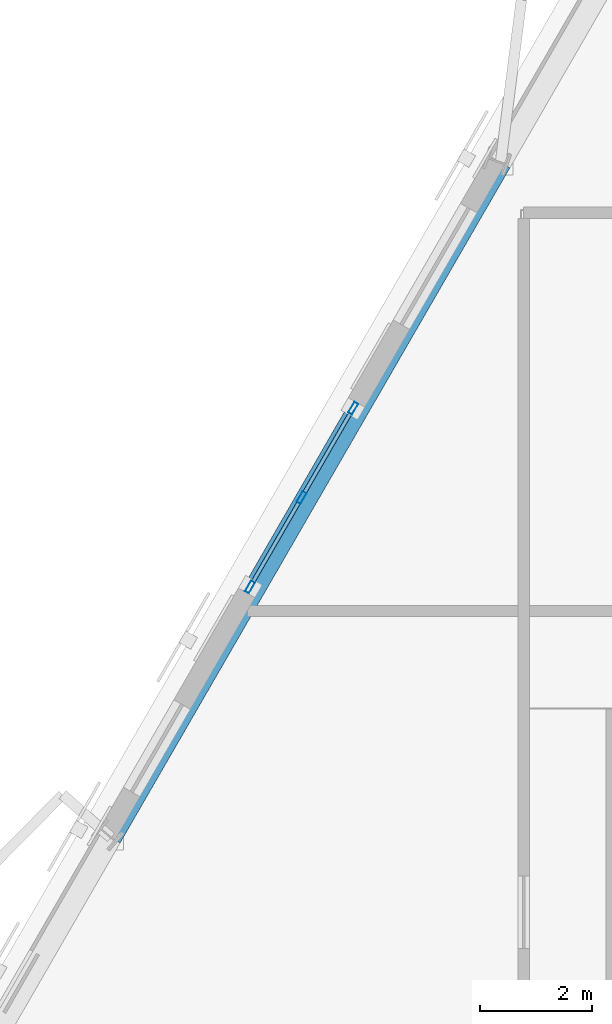
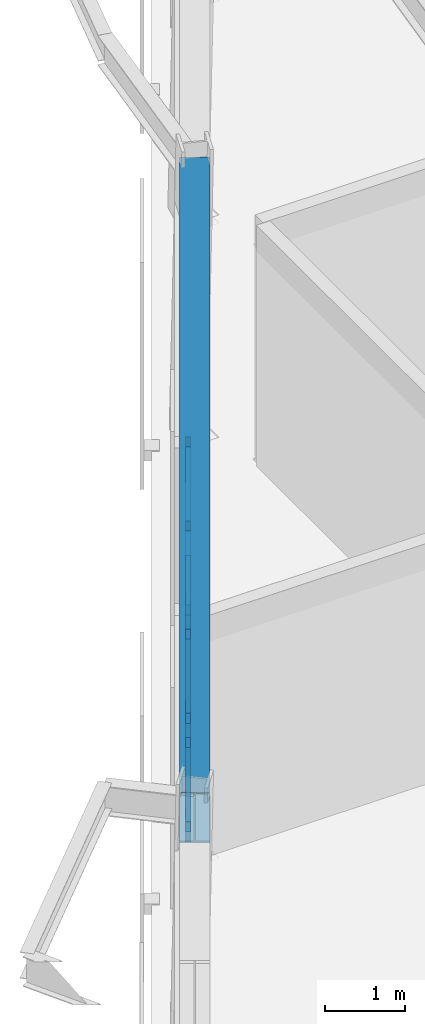
# One storey, part 4 of 14: 9 members, 1 beam, 1 element without a shape of its own.
"""IFC4 building model written with IfcOpenShell, lengths in metres."""

from ifc_helpers import new_model, si_unit, direction, frame, origin, origin_2d, place, context, subcontext, project, spatial, hollow_rectangle, i_section, extrude, material, layer, layer_set, material_profile, profile_set, type_object, element, aggregate, save


model = new_model("IFC4")

# Units and contexts
model_context = context("Model", 3, precision=1e-05, world=origin(), true_north=direction((0.0, 1.0)))
body_context = subcontext(model_context, "Body", "Model", "MODEL_VIEW")
ifc_project = project(units=[si_unit("LENGTHUNIT", "METRE"), si_unit("AREAUNIT", "SQUARE_METRE"), si_unit("VOLUMEUNIT", "CUBIC_METRE"), si_unit("PLANEANGLEUNIT", "RADIAN"), si_unit("MASSUNIT", "GRAM", prefix="KILO")], contexts=[model_context])

# Site, building, storey
site_placement = place(None, origin())
site = spatial("IfcSite", under=ifc_project, at=site_placement, CompositionType="ELEMENT")
building_placement = place(site_placement, origin())
building = spatial("IfcBuilding", under=site, at=building_placement, Name="Oramaril Tower", CompositionType="ELEMENT")
storey_placement = place(building_placement, frame((0.0, 0.0, 107.699951171875)))
storey = spatial("IfcBuildingStorey", under=building, at=storey_placement, Name="L28", CompositionType="ELEMENT", Elevation=107.699951171875)

# Beam
ifc_material_1 = material(Name="Steel ASTM A572 Gr 50", Category="steel")
ifc_material_profile_1 = material_profile(ifc_material_1, i_section(OverallWidth=0.381103515625, OverallDepth=0.77197265625, WebThickness=0.0166015625, FlangeThickness=0.027099609375, at=origin_2d()), Name="W30X173")
ifc_profile_set_1 = profile_set([ifc_material_profile_1], Name="Steel ASTM A572 Gr 50")
beam_type = type_object("IfcBeamType", Name="BT-SP2", PredefinedType="SPANDREL", material=ifc_profile_set_1)
beam_placement = place(storey_placement, frame((26.6376953125, 34.396484375, 3.8740234375), z_axis=(-0.499994602708, -0.86602851989, 0.0), x_axis=(0.86602851989, -0.499994602708, 0.0)))
element("IfcBeam", 1, at=beam_placement, inside=storey, type_object=beam_type, Name="L28 Perimeter Spandrel 16", PredefinedType="SPANDREL", context=body_context, shape_type="SweptSolid", body=[
    extrude(i_section(OverallWidth=0.381103515625, OverallDepth=0.77197265625, WebThickness=0.0166015625, FlangeThickness=0.027099609375, at=origin_2d()), origin(), (0.0, 0.0, 1.0), 13.900146484375),
])

# Curtain wall, members
ifc_material_2 = material(Name="Anodised Aluminium 6063-T6", Category="aluminium")
ifc_layer = layer(ifc_material_2, 0.219970703125)
ifc_layer_set = layer_set([ifc_layer], Name="CWT-SYS5")
curtain_wall_type = type_object("IfcCurtainWallType", Name="CWT-SYS5", PredefinedType="NOTDEFINED", material=ifc_layer_set)
curtain_wall_placement = place(storey_placement, origin())
curtain_wall = element("IfcCurtainWall", 2, at=curtain_wall_placement, inside=storey, type_object=curtain_wall_type, Name="L28 Unitised Curtain Wall CW-5", PredefinedType="NOTDEFINED")
ifc_material_3 = material(Name="Anodised Aluminium 6063-T6", Category="aluminium")
ifc_material_profile_2 = material_profile(ifc_material_3, hollow_rectangle(XDim=0.080078125, YDim=0.219970703125, WallThickness=0.00390625, at=origin_2d()), Name="CWM220X80")
ifc_profile_set_2 = profile_set([ifc_material_profile_2], Name="Anodised Aluminium 6063-T6")
member_type_1 = type_object("IfcMemberType", Name="MT-CWM1", PredefinedType="MULLION", material=ifc_profile_set_2)
member_1_placement = place(storey_placement, frame((24.0087890625, 30.013671875, 0.0), z_axis=(0.0, 0.0, 1.0), x_axis=(0.866025463091, -0.499999897278, 0.0)))
member_1 = element("IfcMember", 3, at=member_1_placement, type_object=member_type_1, Name="CW-5 mullion 1", PredefinedType="MULLION", context=body_context, shape_type="SweptSolid", body=[
    extrude(hollow_rectangle(XDim=0.080078125, YDim=0.219970703125, WallThickness=0.00390625, at=origin_2d()), origin(), (0.0, 0.0, 1.0), 3.47802734375),
])
member_2_placement = place(storey_placement, frame((23.0888671875, 28.420166015625, 0.0), z_axis=(0.0, 0.0, 1.0), x_axis=(0.866025463091, -0.499999897278, 0.0)))
member_2 = element("IfcMember", 4, at=member_2_placement, type_object=member_type_1, Name="CW-5 mullion 2", PredefinedType="MULLION", context=body_context, shape_type="SweptSolid", body=[
    extrude(hollow_rectangle(XDim=0.080078125, YDim=0.219970703125, WallThickness=0.00390625, at=origin_2d()), origin(), (0.0, 0.0, 1.0), 3.47802734375),
])
member_3_placement = place(storey_placement, frame((22.168701171875, 26.82666015625, 0.0), z_axis=(0.0, 0.0, 1.0), x_axis=(0.866025463091, -0.499999897278, 0.0)))
member_3 = element("IfcMember", 5, at=member_3_placement, type_object=member_type_1, Name="CW-5 mullion 3", PredefinedType="MULLION", context=body_context, shape_type="SweptSolid", body=[
    extrude(hollow_rectangle(XDim=0.080078125, YDim=0.219970703125, WallThickness=0.00390625, at=origin_2d()), origin(), (0.0, 0.0, 1.0), 3.47802734375),
])
ifc_material_4 = material(Name="Anodised Aluminium 6063-T6", Category="aluminium")
ifc_material_profile_3 = material_profile(ifc_material_4, hollow_rectangle(XDim=0.070068359375, YDim=0.159912109375, WallThickness=0.00390625, at=origin_2d()), Name="CWT160X70")
ifc_profile_set_3 = profile_set([ifc_material_profile_3], Name="Anodised Aluminium 6063-T6")
member_type_2 = type_object("IfcMemberType", Name="MT-CWT1", PredefinedType="USERDEFINED", material=ifc_profile_set_3)
member_4_placement = place(storey_placement, frame((23.953857421875, 29.91845703125, 0.080078125), z_axis=(-0.500061642096, -0.865989811779, 0.0), x_axis=(0.865989811779, -0.500061642096, 0.0)))
member_4 = element("IfcMember", 6, at=member_4_placement, type_object=member_type_2, Name="CW-5 transom 1.1", ObjectType="TRANSOM", PredefinedType="USERDEFINED", context=body_context, shape_type="SweptSolid", body=[
    extrude(hollow_rectangle(XDim=0.070068359375, YDim=0.159912109375, WallThickness=0.00390625, at=origin_2d()), origin(), (0.0, 0.0, 1.0), 1.619873046875),
])
member_5_placement = place(storey_placement, frame((23.953857421875, 29.91845703125, 1.739013671875), z_axis=(-0.500061642096, -0.865989811779, 0.0), x_axis=(0.865989811779, -0.500061642096, 0.0)))
member_5 = element("IfcMember", 7, at=member_5_placement, type_object=member_type_2, Name="CW-5 transom 1.2", ObjectType="TRANSOM", PredefinedType="USERDEFINED", context=body_context, shape_type="SweptSolid", body=[
    extrude(hollow_rectangle(XDim=0.070068359375, YDim=0.159912109375, WallThickness=0.00390625, at=origin_2d()), origin(), (0.0, 0.0, 1.0), 1.619873046875),
])
member_6_placement = place(storey_placement, frame((23.953857421875, 29.91845703125, 3.39794921875), z_axis=(-0.500061642096, -0.865989811779, 0.0), x_axis=(0.865989811779, -0.500061642096, 0.0)))
member_6 = element("IfcMember", 8, at=member_6_placement, type_object=member_type_2, Name="CW-5 transom 1.3", ObjectType="TRANSOM", PredefinedType="USERDEFINED", context=body_context, shape_type="SweptSolid", body=[
    extrude(hollow_rectangle(XDim=0.070068359375, YDim=0.159912109375, WallThickness=0.00390625, at=origin_2d()), origin(), (0.0, 0.0, 1.0), 1.619873046875),
])
member_7_placement = place(storey_placement, frame((23.03369140625, 28.324951171875, 0.080078125), z_axis=(-0.499948604784, -0.866055074793, 0.0), x_axis=(0.866055074793, -0.499948604784, 0.0)))
member_7 = element("IfcMember", 9, at=member_7_placement, type_object=member_type_2, Name="CW-5 transom 2.1", ObjectType="TRANSOM", PredefinedType="USERDEFINED", context=body_context, shape_type="SweptSolid", body=[
    extrude(hollow_rectangle(XDim=0.070068359375, YDim=0.159912109375, WallThickness=0.00390625, at=origin_2d()), origin(), (0.0, 0.0, 1.0), 1.619873046875),
])
member_8_placement = place(storey_placement, frame((23.03369140625, 28.324951171875, 1.739013671875), z_axis=(-0.499948604784, -0.866055074793, 0.0), x_axis=(0.866055074793, -0.499948604784, 0.0)))
member_8 = element("IfcMember", 10, at=member_8_placement, type_object=member_type_2, Name="CW-5 transom 2.2", ObjectType="TRANSOM", PredefinedType="USERDEFINED", context=body_context, shape_type="SweptSolid", body=[
    extrude(hollow_rectangle(XDim=0.070068359375, YDim=0.159912109375, WallThickness=0.00390625, at=origin_2d()), origin(), (0.0, 0.0, 1.0), 1.619873046875),
])
member_9_placement = place(storey_placement, frame((23.03369140625, 28.324951171875, 3.39794921875), z_axis=(-0.499948604784, -0.866055074793, 0.0), x_axis=(0.866055074793, -0.499948604784, 0.0)))
member_9 = element("IfcMember", 11, at=member_9_placement, type_object=member_type_2, Name="CW-5 transom 2.3", ObjectType="TRANSOM", PredefinedType="USERDEFINED", context=body_context, shape_type="SweptSolid", body=[
    extrude(hollow_rectangle(XDim=0.070068359375, YDim=0.159912109375, WallThickness=0.00390625, at=origin_2d()), origin(), (0.0, 0.0, 1.0), 1.619873046875),
])
aggregate(curtain_wall, [member_1, member_2, member_3, member_4, member_5, member_6, member_7, member_8, member_9])

save(model, "model.ifc")
